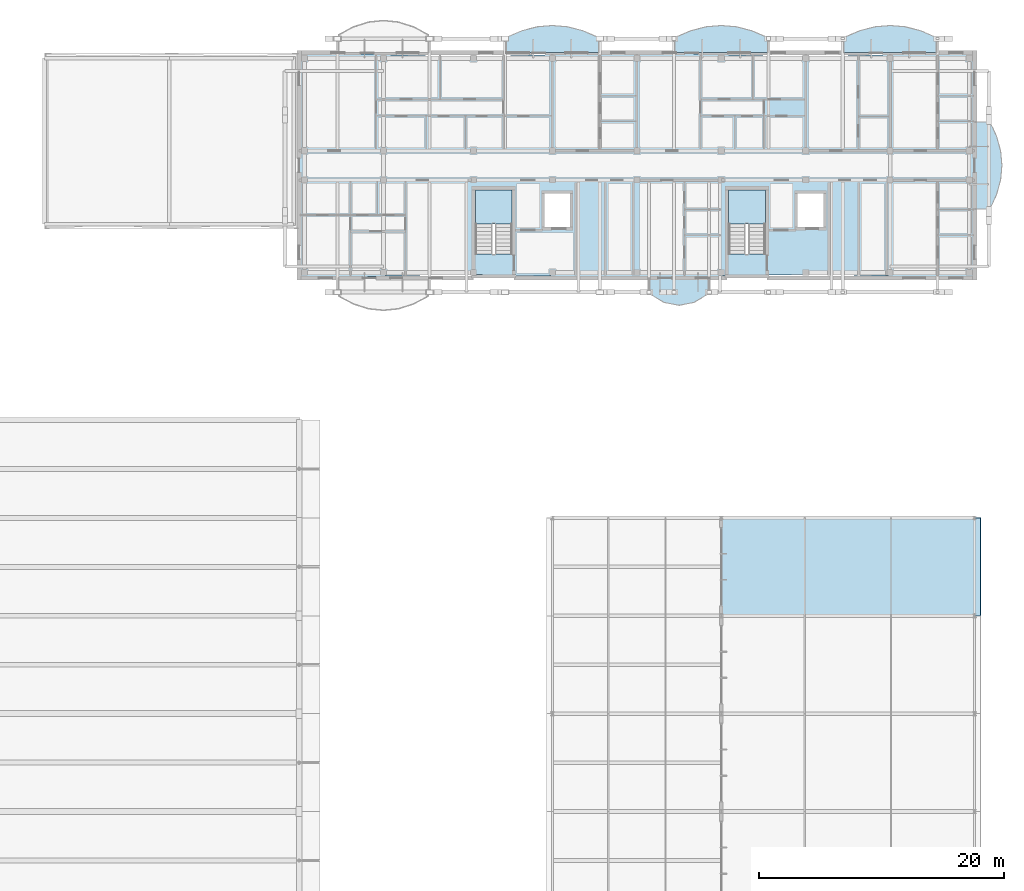
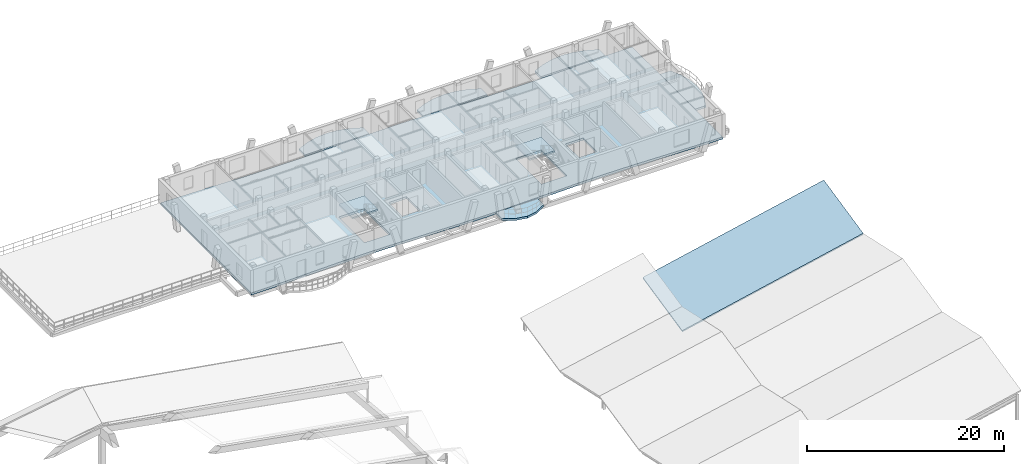
# One storey, part 55 of 109: 9 slabs, 2 elements without a shape of their own.
"""IFC4 building model written with IfcOpenShell, lengths in metres."""

from ifc_helpers import new_model, si_unit, direction, frame, origin, place, context, subcontext, project, spatial, polyline, outline, extrude, material, layer, layer_set, type_object, element, aggregate, save


model = new_model("IFC4")

# Units and contexts
model_context = context("Model", 3, precision=1e-05, world=origin(), true_north=direction((0.0, 1.0)))
body_context = subcontext(model_context, "Body", "Model", "MODEL_VIEW")
ifc_project = project(units=[si_unit("LENGTHUNIT", "METRE"), si_unit("AREAUNIT", "SQUARE_METRE"), si_unit("VOLUMEUNIT", "CUBIC_METRE"), si_unit("PLANEANGLEUNIT", "RADIAN"), si_unit("MASSUNIT", "GRAM", prefix="KILO")], contexts=[model_context])

# Site, building, storey
site_placement = place(None, origin())
site = spatial("IfcSite", under=ifc_project, at=site_placement, CompositionType="ELEMENT")
building_placement = place(site_placement, origin())
building = spatial("IfcBuilding", under=site, at=building_placement, Name="Zavelmont Quarter", CompositionType="ELEMENT")
storey_placement = place(building_placement, frame((0.0, 0.0, 8.0)))
storey = spatial("IfcBuildingStorey", under=building, at=storey_placement, Name="L02", CompositionType="ELEMENT", Elevation=8.0)

# Slabs
ifc_material_1 = material(Name="Concrete C35/45", Category="concrete")
ifc_layer_1 = layer(ifc_material_1, 0.2099609375)
ifc_layer_set_1 = layer_set([ifc_layer_1], Name="Concrete C35/45")
slab_type_1 = type_object("IfcSlabType", Name="NR10", PredefinedType="ROOF", material=ifc_layer_set_1)
slab_1_placement = place(storey_placement, frame((147.300048828125, 70.0, 0.0), z_axis=(-0.208440181475, -0.209003051937, 0.955442523142), x_axis=(0.977020021784, 0.0, 0.213147547564)))
element("IfcSlab", 1, at=slab_1_placement, inside=storey, type_object=slab_type_1, Name="Sloped clerestory roof NR10", PredefinedType="ROOF", context=body_context, shape_type="SweptSolid", body=[
    extrude(outline(polyline([(0.0, 0.0), (21.698584163255543, 0.0), (22.07159237149182, 8.180670197275305), (0.3730082082362768, 8.180670197275305), (0.0, 0.0)])), origin(), (0.0, 0.0, -1.0), 0.2099609375),
])
ifc_material_2 = material(Name="White architectural precast concrete C40/50", Category="concrete")
ifc_layer_2 = layer(ifc_material_2, 0.235107421875)
ifc_layer_set_2 = layer_set([ifc_layer_2], Name="White architectural precast concrete C40/50")
slab_type_2 = type_object("IfcSlabType", Name="SL-BL180", PredefinedType="FLOOR", material=ifc_layer_set_2)
slab_2_placement = place(storey_placement, frame((0.0, 0.0, -0.235107421875)))
element("IfcSlab", 2, at=slab_2_placement, inside=storey, type_object=slab_type_2, Name="L02 Block C street vase 3 balcony SL-BL180", PredefinedType="FLOOR", context=body_context, shape_type="SweptSolid", body=[
    extrude(outline(polyline([(151.07080078125, 116.02001953125), (151.07080078125, 117.2509765625), (149.81396484375, 117.797119140625), (148.556884765625, 118.124755859375), (147.300048828125, 118.23388671875), (146.043212890625, 118.124755859375), (144.7861328125, 117.797119140625), (143.529296875, 117.2509765625), (143.529296875, 116.02001953125), (151.07080078125, 116.02001953125)])), origin(), (0.0, 0.0, 1.0), 0.235107421875),
])
ifc_layer_3 = layer(ifc_material_2, 0.2451171875)
ifc_layer_set_3 = layer_set([ifc_layer_3], Name="White architectural precast concrete C40/50")
slab_type_3 = type_object("IfcSlabType", Name="SL-BL200", PredefinedType="FLOOR", material=ifc_layer_set_3)
slab_3_placement = place(storey_placement, frame((0.0, 0.0, -0.2451171875)))
element("IfcSlab", 3, at=slab_3_placement, inside=storey, type_object=slab_type_3, Name="L02 Block C street vase 2 balcony SL-BL200", PredefinedType="FLOOR", context=body_context, shape_type="SweptSolid", body=[
    extrude(outline(polyline([(137.270751953125, 116.02001953125), (137.270751953125, 117.2509765625), (136.013916015625, 117.797119140625), (134.7568359375, 118.124755859375), (133.5, 118.23388671875), (132.2431640625, 118.124755859375), (130.986083984375, 117.797119140625), (129.729248046875, 117.2509765625), (129.729248046875, 116.02001953125), (137.270751953125, 116.02001953125)])), origin(), (0.0, 0.0, 1.0), 0.2451171875),
])
slab_4_placement = place(storey_placement, frame((0.0, 0.0, -0.2451171875)))
element("IfcSlab", 4, at=slab_4_placement, inside=storey, type_object=slab_type_3, Name="L02 Block C boulevard vase balcony SL-BL200", PredefinedType="FLOOR", context=body_context, shape_type="SweptSolid", body=[
    extrude(outline(polyline([(168.02001953125, 103.235595703125), (169.2509765625, 103.235595703125), (169.797119140625, 104.423828125), (170.124755859375, 105.61181640625), (170.23388671875, 106.800048828125), (170.124755859375, 107.988037109375), (169.797119140625, 109.17626953125), (169.2509765625, 110.3642578125), (168.02001953125, 110.3642578125), (168.02001953125, 103.235595703125)])), origin(), (0.0, 0.0, 1.0), 0.2451171875),
])
ifc_layer_4 = layer(ifc_material_2, 0.2548828125)
ifc_layer_set_4 = layer_set([ifc_layer_4], Name="White architectural precast concrete C40/50")
slab_type_4 = type_object("IfcSlabType", Name="SL-BL220", PredefinedType="FLOOR", material=ifc_layer_set_4)
slab_5_placement = place(storey_placement, frame((0.0, 0.0, -0.2548828125)))
element("IfcSlab", 5, at=slab_5_placement, inside=storey, type_object=slab_type_4, Name="L02 Block C street vase 4 balcony SL-BL220", PredefinedType="FLOOR", context=body_context, shape_type="SweptSolid", body=[
    extrude(outline(polyline([(164.870849609375, 116.02001953125), (164.870849609375, 117.2509765625), (163.614013671875, 117.797119140625), (162.35693359375, 118.124755859375), (161.10009765625, 118.23388671875), (159.843017578125, 118.124755859375), (158.586181640625, 117.797119140625), (157.3291015625, 117.2509765625), (157.3291015625, 116.02001953125), (164.870849609375, 116.02001953125)])), origin(), (0.0, 0.0, 1.0), 0.2548828125),
])
slab_6_placement = place(storey_placement, frame((0.0, 0.0, -0.2548828125)))
element("IfcSlab", 6, at=slab_6_placement, inside=storey, type_object=slab_type_4, Name="L02 Block C courtyard central vase balcony SL-BL220", PredefinedType="FLOOR", context=body_context, shape_type="SweptSolid", body=[
    extrude(outline(polyline([(141.3916015625, 97.580078125), (141.3916015625, 96.34912109375), (142.620849609375, 95.61181640625), (143.85009765625, 95.365966796875), (145.0791015625, 95.61181640625), (146.308349609375, 96.34912109375), (146.308349609375, 97.580078125), (141.3916015625, 97.580078125)])), origin(), (0.0, 0.0, 1.0), 0.2548828125),
])
ifc_layer_5 = layer(ifc_material_1, 0.27001953125)
ifc_layer_set_5 = layer_set([ifc_layer_5], Name="Concrete C35/45")
slab_type_5 = type_object("IfcSlabType", Name="SL-FL270", PredefinedType="FLOOR", material=ifc_layer_set_5)
slab_7_placement = place(storey_placement, frame((0.0, 0.0, -0.27001953125)))
element("IfcSlab", 7, at=slab_7_placement, inside=storey, type_object=slab_type_5, Name="L02 Block C floor slab SL-FL270", PredefinedType="FLOOR", context=body_context, shape_type="SweptSolid", body=[
    extrude(outline(polyline([(112.800048828125, 97.60009765625), (116.25, 97.64111328125), (119.699951171875, 97.739990234375), (123.14990234375, 97.839111328125), (126.60009765625, 97.8798828125), (130.050048828125, 97.839111328125), (133.5, 97.739990234375), (136.949951171875, 97.64111328125), (140.39990234375, 97.60009765625), (143.85009765625, 97.64111328125), (147.300048828125, 97.739990234375), (150.75, 97.839111328125), (154.199951171875, 97.8798828125), (157.64990234375, 97.839111328125), (161.10009765625, 97.739990234375), (164.550048828125, 97.64111328125), (168.0, 97.60009765625), (168.0, 101.280029296875), (168.0, 104.9599609375), (168.0, 108.639892578125), (168.0, 112.320068359375), (168.0, 116.0), (164.550048828125, 115.958984375), (161.10009765625, 115.860107421875), (157.64990234375, 115.760986328125), (154.199951171875, 115.719970703125), (150.75, 115.760986328125), (147.300048828125, 115.860107421875), (143.85009765625, 115.958984375), (140.39990234375, 116.0), (136.949951171875, 115.958984375), (133.5, 115.860107421875), (130.050048828125, 115.760986328125), (126.60009765625, 115.719970703125), (123.14990234375, 115.760986328125), (119.699951171875, 115.860107421875), (116.25, 115.958984375), (112.800048828125, 116.0), (112.800048828125, 112.320068359375), (112.800048828125, 108.639892578125), (112.800048828125, 104.9599609375), (112.800048828125, 101.280029296875), (112.800048828125, 97.60009765625)]), holes=[polyline([(130.199951171875, 99.574951171875), (130.199951171875, 104.800048828125), (127.199951171875, 104.800048828125), (127.199951171875, 99.574951171875), (130.199951171875, 99.574951171875)]), polyline([(132.85009765625, 101.75), (134.949951171875, 101.75), (134.949951171875, 104.5), (132.85009765625, 104.5), (132.85009765625, 101.75)]), polyline([(150.89990234375, 99.574951171875), (150.89990234375, 104.800048828125), (147.89990234375, 104.800048828125), (147.89990234375, 99.574951171875), (150.89990234375, 99.574951171875)]), polyline([(153.550048828125, 101.75), (155.64990234375, 101.75), (155.64990234375, 104.5), (153.550048828125, 104.5), (153.550048828125, 101.75)])]), origin(), (0.0, 0.0, 1.0), 0.27001953125),
])

# Stair, slab
stair_type = type_object("IfcStairType", Name="STR-1400-1778", PredefinedType="HALF_TURN_STAIR", material=ifc_material_1)
stair_1_placement = place(storey_placement, origin())
stair_1 = element("IfcStair", 8, at=stair_1_placement, inside=storey, type_object=stair_type, Name="L02 protected stair ST05", PredefinedType="HALF_TURN_STAIR")
ifc_layer_6 = layer(ifc_material_1, 0.199951171875)
ifc_layer_set_6 = layer_set([ifc_layer_6], Name="Concrete C35/45")
slab_type_6 = type_object("IfcSlabType", Name="SL-LND200", PredefinedType="LANDING", material=ifc_layer_set_6)
slab_8_placement = place(storey_placement, frame((0.0, 0.0, 1.39990234375)))
slab_8 = element("IfcSlab", 9, at=slab_8_placement, type_object=slab_type_6, Name="ST05 landing 1", PredefinedType="LANDING", context=body_context, shape_type="SweptSolid", body=[
    extrude(outline(polyline([(130.199951171875, 102.030029296875), (130.199951171875, 104.800048828125), (127.199951171875, 104.800048828125), (127.199951171875, 102.030029296875), (130.199951171875, 102.030029296875)])), origin(), (0.0, 0.0, 1.0), 0.2001953125),
])
aggregate(stair_1, [slab_8])

stair_2_placement = place(storey_placement, origin())
stair_2 = element("IfcStair", 10, at=stair_2_placement, inside=storey, type_object=stair_type, Name="L02 protected stair ST06", PredefinedType="HALF_TURN_STAIR")
slab_9_placement = place(storey_placement, frame((0.0, 0.0, 1.39990234375)))
slab_9 = element("IfcSlab", 11, at=slab_9_placement, type_object=slab_type_6, Name="ST06 landing 1", PredefinedType="LANDING", context=body_context, shape_type="SweptSolid", body=[
    extrude(outline(polyline([(150.89990234375, 102.030029296875), (150.89990234375, 104.800048828125), (147.89990234375, 104.800048828125), (147.89990234375, 102.030029296875), (150.89990234375, 102.030029296875)])), origin(), (0.0, 0.0, 1.0), 0.2001953125),
])
aggregate(stair_2, [slab_9])

save(model, "model.ifc")
